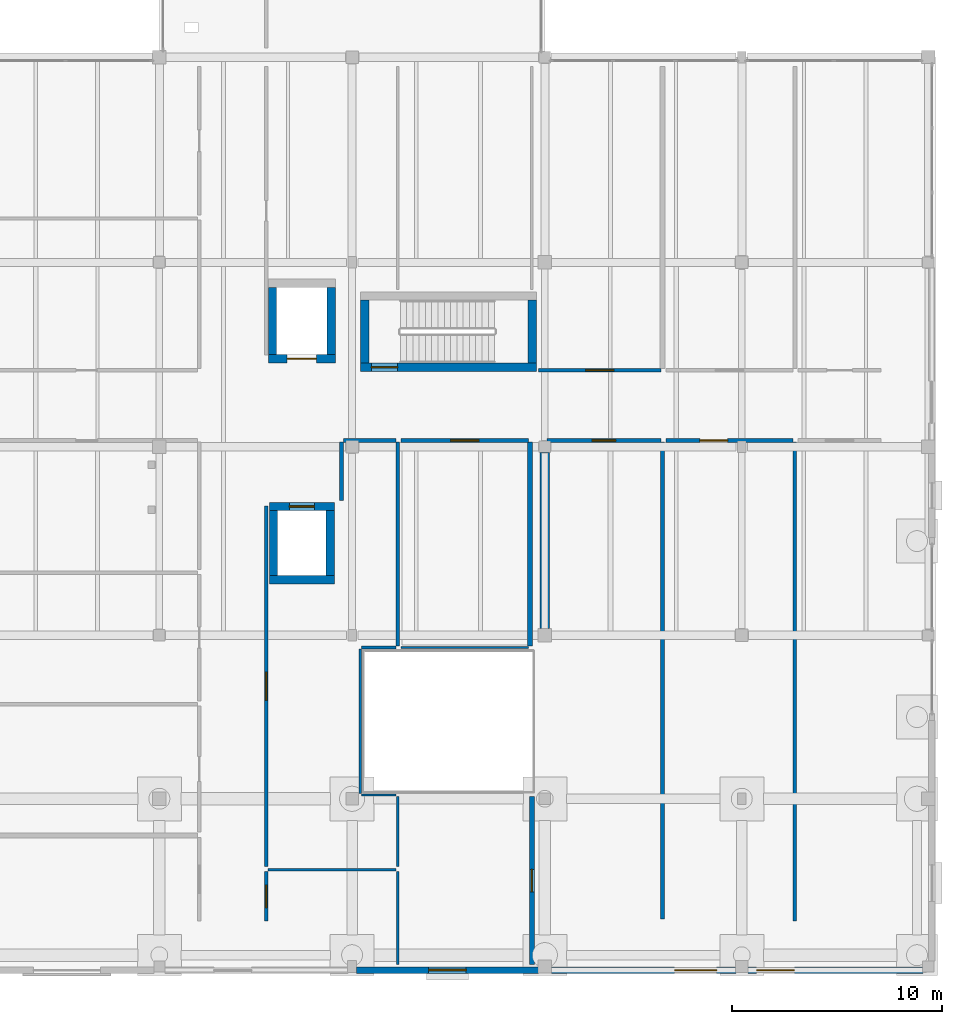
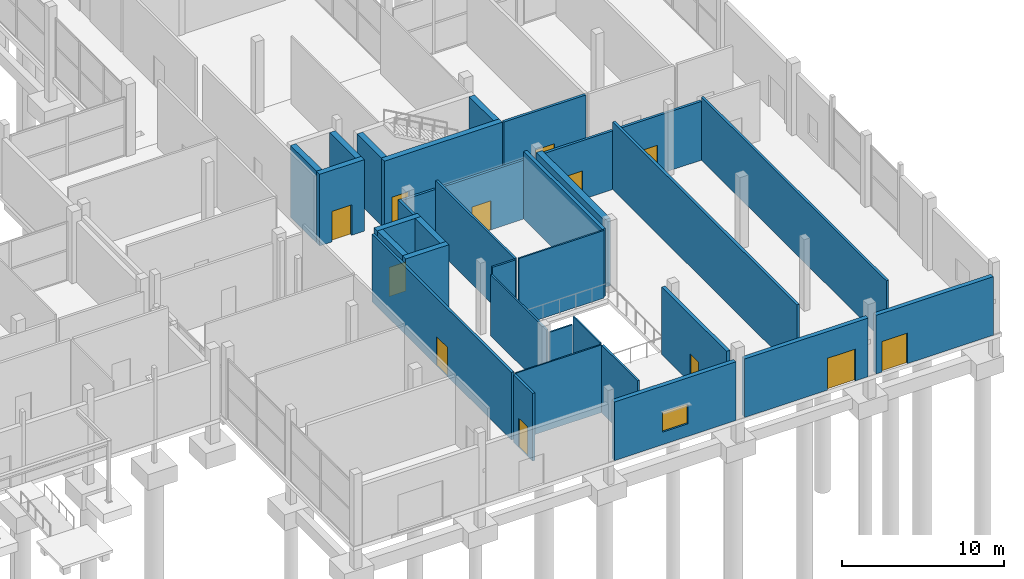
# One storey, part 67 of 88: 34 walls, 12 doors, 1 window, 13 openings.
"""IFC4 building model written with IfcOpenShell, lengths in metres."""

from ifc_helpers import new_model, si_unit, direction, frame, frame_2d, origin, place, context, subcontext, project, spatial, rectangle, extrude, material, layer, layer_set, type_object, element, fill, save


model = new_model("IFC4")

# Units and contexts
model_context = context("Model", 3, precision=1e-05, world=origin(), true_north=direction((0.0, 1.0)))
body_context = subcontext(model_context, "Body", "Model", "MODEL_VIEW")
ifc_project = project(units=[si_unit("LENGTHUNIT", "METRE"), si_unit("AREAUNIT", "SQUARE_METRE"), si_unit("VOLUMEUNIT", "CUBIC_METRE"), si_unit("PLANEANGLEUNIT", "RADIAN"), si_unit("MASSUNIT", "GRAM", prefix="KILO")], contexts=[model_context])

# Site, building, storey
site_placement = place(None, origin())
site = spatial("IfcSite", under=ifc_project, at=site_placement, CompositionType="ELEMENT")
building_placement = place(site_placement, origin())
building = spatial("IfcBuilding", under=site, at=building_placement, Name="Birchvale Park Specialist Clinic", CompositionType="ELEMENT")
storey_placement = place(building_placement, origin())
storey = spatial("IfcBuildingStorey", under=building, at=storey_placement, Name="L00", CompositionType="ELEMENT", Elevation=0.0)

# Wall, opening, door
ifc_material_1 = material(Name="Concrete C40/50", Category="concrete")
ifc_layer_1 = layer(ifc_material_1, 0.39990234375)
ifc_layer_set_1 = layer_set([ifc_layer_1], Name="Concrete C40/50")
wall_type_1 = type_object("IfcWallType", Name="WL-CW-120", PredefinedType="SHEAR", material=ifc_layer_set_1)
wall_1_placement = place(storey_placement, frame((137.60009765625, 29.60009765625, 0.0), z_axis=(0.0, 0.0, 1.0), x_axis=(1.0, 0.0, 0.0)))
wall_1 = element("IfcWall", 1, at=wall_1_placement, inside=storey, type_object=wall_type_1, Name="L00 stair ST6 EI 120 enclosure wall (south)", PredefinedType="SHEAR", context=body_context, shape_type="SweptSolid", body=[
    extrude(rectangle(XDim=8.39990234375, YDim=0.39990234375, at=frame_2d((4.199951171875, 0.0))), origin(), (0.0, 0.0, 1.0), 5.10009765625),
])
opening_1_placement = place(wall_1_placement, frame((0.52001953125, 0.0, 0.0)))
opening_1 = element("IfcOpeningElement", 2, at=opening_1_placement, cuts=wall_1, Name="Opening ID-FD60", PredefinedType="OPENING", context=body_context, shape_type="SweptSolid", body=[
    extrude(rectangle(XDim=1.25, YDim=2.199951171875, at=frame_2d((0.625, 1.10009765625))), frame((0.0, 0.2099609375, 0.0), z_axis=(0.0, -1.0, 0.0), x_axis=(1.0, 0.0, 0.0)), (0.0, 0.0, 1.0), 0.419921875),
])
ifc_material_2 = material(Name="Solid-core birch veneer and anodised aluminium", Category="aluminium")
door_type_1 = type_object("IfcDoorType", Name="DR-ID-FD60", OperationType="NOTDEFINED", PredefinedType="DOOR", material=ifc_material_2)
door_1_placement = place(opening_1_placement, origin())
door_1 = element("IfcDoor", 3, at=door_1_placement, inside=storey, type_object=door_type_1, Name="L00 stair ST6 fire door", OperationType="SINGLE_SWING_LEFT", OverallHeight=2.199951171875, OverallWidth=1.25, PredefinedType="DOOR", context=body_context, shape_type="SweptSolid", body=[
    extrude(rectangle(XDim=1.25, YDim=2.199951171875, at=frame_2d((0.625, 1.10009765625))), frame((0.0, 0.02490234375, 0.0), z_axis=(0.0, -1.0, 0.0), x_axis=(1.0, 0.0, 0.0)), (0.0, 0.0, 1.0), 0.050048828125),
])
fill(opening_1, door_1)

# Walls
for number, where, z_axis, x_axis, name in (
    (4, (137.800048828125, 29.800048828125, 0.0), (0.0, 0.0, 1.0), (0.0, 1.0, 0.0), "L00 stair ST6 EI 120 enclosure wall (west)"),
    (5, (145.800048828125, 32.800048828125, 0.0), (0.0, 0.0, 1.0), (0.0, -1.0, 0.0), "L00 stair ST6 EI 120 enclosure wall (east)"),
):
    element("IfcWall", number, at=place(storey_placement, frame(where, z_axis=z_axis, x_axis=x_axis)), inside=storey, type_object=wall_type_1, Name=name, PredefinedType="SHEAR", context=body_context, shape_type="SweptSolid", body=[
        extrude(rectangle(XDim=3.0, YDim=0.39990234375, at=frame_2d((1.5, 0.0))), origin(), (0.0, 0.0, 1.0), 5.10009765625),
    ])
wall_2_placement = place(storey_placement, frame((133.25, 19.449951171875, 0.0), z_axis=(0.0, 0.0, 1.0), x_axis=(1.0, 0.0, 0.0)))
element("IfcWall", 6, at=wall_2_placement, inside=storey, type_object=wall_type_1, Name="L00 lift LP4 shaft wall (south)", PredefinedType="SHEAR", context=body_context, shape_type="SweptSolid", body=[
    extrude(rectangle(XDim=3.10009765625, YDim=0.39990234375, at=frame_2d((1.550048828125, 0.0))), origin(), (0.0, 0.0, 1.0), 5.39990234375),
])

# Wall, opening, door
wall_3_placement = place(storey_placement, frame((136.35009765625, 22.949951171875, 0.0), z_axis=(0.0, 0.0, 1.0), x_axis=(-1.0, 0.0, 0.0)))
wall_3 = element("IfcWall", 7, at=wall_3_placement, inside=storey, type_object=wall_type_1, Name="L00 lift LP4 shaft wall (north)", PredefinedType="SHEAR", context=body_context, shape_type="SweptSolid", body=[
    extrude(rectangle(XDim=3.10009765625, YDim=0.39990234375, at=frame_2d((1.550048828125, 0.0))), origin(), (0.0, 0.0, 1.0), 5.39990234375),
])
opening_2_placement = place(wall_3_placement, frame((0.949951171875, 0.0, 0.0)))
opening_2 = element("IfcOpeningElement", 8, at=opening_2_placement, cuts=wall_3, Name="Opening LD-01", PredefinedType="OPENING", context=body_context, shape_type="SweptSolid", body=[
    extrude(rectangle(XDim=1.199951171875, YDim=2.199951171875, at=frame_2d((0.60009765625, 1.10009765625))), frame((0.0, 0.2099609375, 0.0), z_axis=(0.0, -1.0, 0.0), x_axis=(1.0, 0.0, 0.0)), (0.0, 0.0, 1.0), 0.419921875),
])
door_type_2 = type_object("IfcDoorType", Name="DR-LD-01", OperationType="DOUBLE_DOOR_SLIDING", PredefinedType="DOOR", material=ifc_material_2)
door_2_placement = place(opening_2_placement, origin())
door_2 = element("IfcDoor", 9, at=door_2_placement, inside=storey, type_object=door_type_2, Name="L00 lift LP4 sliding landing door", OperationType="DOUBLE_DOOR_SLIDING", OverallHeight=2.199951171875, OverallWidth=1.199951171875, PredefinedType="DOOR", context=body_context, shape_type="SweptSolid", body=[
    extrude(rectangle(XDim=1.199951171875, YDim=2.199951171875, at=frame_2d((0.60009765625, 1.10009765625))), frame((0.0, 0.02490234375, 0.0), z_axis=(0.0, -1.0, 0.0), x_axis=(1.0, 0.0, 0.0)), (0.0, 0.0, 1.0), 0.050048828125),
])
fill(opening_2, door_2)

# Walls
for number, where, z_axis, x_axis, name in (
    (10, (133.449951171875, 19.64990234375, 0.0), (0.0, 0.0, 1.0), (0.0, 1.0, 0.0), "L00 lift LP4 shaft wall (west)"),
    (11, (136.14990234375, 22.75, 0.0), (0.0, 0.0, 1.0), (0.0, -1.0, 0.0), "L00 lift LP4 shaft wall (east)"),
):
    element("IfcWall", number, at=place(storey_placement, frame(where, z_axis=z_axis, x_axis=x_axis)), inside=storey, type_object=wall_type_1, Name=name, PredefinedType="SHEAR", context=body_context, shape_type="SweptSolid", body=[
        extrude(rectangle(XDim=3.10009765625, YDim=0.39990234375, at=frame_2d((1.550048828125, 0.0))), origin(), (0.0, 0.0, 1.0), 5.39990234375),
    ])

# Wall, opening, door
wall_4_placement = place(storey_placement, frame((133.199951171875, 30.0, 0.0), z_axis=(0.0, 0.0, 1.0), x_axis=(1.0, 0.0, 0.0)))
wall_4 = element("IfcWall", 12, at=wall_4_placement, inside=storey, type_object=wall_type_1, Name="L00 lift LS2 shaft wall (south)", PredefinedType="SHEAR", context=body_context, shape_type="SweptSolid", body=[
    extrude(rectangle(XDim=3.199951171875, YDim=0.39990234375, at=frame_2d((1.60009765625, 0.0))), origin(), (0.0, 0.0, 1.0), 5.39990234375),
])
opening_3_placement = place(wall_4_placement, frame((0.89990234375, 0.0, 0.0)))
opening_3 = element("IfcOpeningElement", 13, at=opening_3_placement, cuts=wall_4, Name="Opening LD-03", PredefinedType="OPENING", context=body_context, shape_type="SweptSolid", body=[
    extrude(rectangle(XDim=1.39990234375, YDim=2.300048828125, at=frame_2d((0.699951171875, 1.14990234375))), frame((0.0, 0.2099609375, 0.0), z_axis=(0.0, -1.0, 0.0), x_axis=(1.0, 0.0, 0.0)), (0.0, 0.0, 1.0), 0.419921875),
])
door_type_3 = type_object("IfcDoorType", Name="DR-LD-03", OperationType="DOUBLE_DOOR_SLIDING", PredefinedType="DOOR", material=ifc_material_2)
door_3_placement = place(opening_3_placement, origin())
door_3 = element("IfcDoor", 14, at=door_3_placement, inside=storey, type_object=door_type_3, Name="L00 lift LS2 sliding landing door", OperationType="DOUBLE_DOOR_SLIDING", OverallHeight=2.300048828125, OverallWidth=1.39990234375, PredefinedType="DOOR", context=body_context, shape_type="SweptSolid", body=[
    extrude(rectangle(XDim=1.39990234375, YDim=2.300048828125, at=frame_2d((0.699951171875, 1.14990234375))), frame((0.0, 0.02490234375, 0.0), z_axis=(0.0, -1.0, 0.0), x_axis=(1.0, 0.0, 0.0)), (0.0, 0.0, 1.0), 0.050048828125),
])
fill(opening_3, door_3)

# Walls
for number, where, z_axis, x_axis, name in (
    (15, (133.39990234375, 30.199951171875, 0.0), (0.0, 0.0, 1.0), (0.0, 1.0, 0.0), "L00 lift LS2 shaft wall (west)"),
    (16, (136.199951171875, 33.39990234375, 0.0), (0.0, 0.0, 1.0), (0.0, -1.0, 0.0), "L00 lift LS2 shaft wall (east)"),
):
    element("IfcWall", number, at=place(storey_placement, frame(where, z_axis=z_axis, x_axis=x_axis)), inside=storey, type_object=wall_type_1, Name=name, PredefinedType="SHEAR", context=body_context, shape_type="SweptSolid", body=[
        extrude(rectangle(XDim=3.199951171875, YDim=0.39990234375, at=frame_2d((1.60009765625, 0.0))), origin(), (0.0, 0.0, 1.0), 5.39990234375),
    ])

# Wall, opening, window
ifc_material_3 = material(Name="Lime-white mineral-rendered insulated masonry", Category="masonry")
ifc_layer_2 = layer(ifc_material_3, 0.31005859375)
ifc_layer_set_2 = layer_set([ifc_layer_2], Name="Lime-white mineral-rendered insulated masonry")
wall_type_2 = type_object("IfcWallType", Name="WL-EW-02", PredefinedType="STANDARD", material=ifc_layer_set_2)
wall_5_placement = place(storey_placement, frame((137.405029296875, 0.824951171875, 0.0), z_axis=(0.0, 0.0, 1.0), x_axis=(1.0, 0.0, 0.0)))
wall_5 = element("IfcWall", 17, at=wall_5_placement, inside=storey, type_object=wall_type_2, Name="V5 L00 exterior facade wall 91", PredefinedType="STANDARD", context=body_context, shape_type="SweptSolid", body=[
    extrude(rectangle(XDim=8.68505859375, YDim=0.31005859375, at=frame_2d((4.342529296875, 0.0))), origin(), (0.0, 0.0, 1.0), 4.419921875),
])
opening_4_placement = place(wall_5_placement, frame((3.4423828125, 0.0, 0.949951171875)))
opening_4 = element("IfcOpeningElement", 18, at=opening_4_placement, cuts=wall_5, Name="Opening W-CL05", PredefinedType="OPENING", context=body_context, shape_type="SweptSolid", body=[
    extrude(rectangle(XDim=1.800048828125, YDim=1.5, at=frame_2d((0.89990234375, 0.75))), frame((0.0, 0.1650390625, 0.0), z_axis=(0.0, -1.0, 0.0), x_axis=(1.0, 0.0, 0.0)), (0.0, 0.0, 1.0), 0.330078125),
])
ifc_material_4 = material(Name="Solar-control low-E double glazing", Category="glass")
window_type = type_object("IfcWindowType", Name="WIN-W-CL05", PartitioningType="SINGLE_PANEL", PredefinedType="WINDOW", material=ifc_material_4)
window_placement = place(opening_4_placement, origin())
window = element("IfcWindow", 19, at=window_placement, inside=storey, type_object=window_type, Name="V5 L00 cased window 12", OverallHeight=1.5, OverallWidth=1.800048828125, PartitioningType="SINGLE_PANEL", PredefinedType="WINDOW", context=body_context, shape_type="SweptSolid", body=[
    extrude(rectangle(XDim=1.800048828125, YDim=1.5, at=frame_2d((0.89990234375, 0.75))), frame((0.0, 0.030029296875, 0.0), z_axis=(0.0, -1.0, 0.0), x_axis=(1.0, 0.0, 0.0)), (0.0, 0.0, 1.0), 0.06005859375),
])
fill(opening_4, window)

# Wall, opening, door
wall_6_placement = place(storey_placement, frame((146.7099609375, 0.824951171875, 0.0), z_axis=(0.0, 0.0, 1.0), x_axis=(1.0, 0.0, 0.0)))
wall_6 = element("IfcWall", 20, at=wall_6_placement, inside=storey, type_object=wall_type_2, Name="V5 L00 exterior facade wall 92", PredefinedType="STANDARD", context=body_context, shape_type="SweptSolid", body=[
    extrude(rectangle(XDim=8.804931640625, YDim=0.31005859375, at=frame_2d((4.40234375, 0.0))), origin(), (0.0, 0.0, 1.0), 4.419921875),
])
opening_5_placement = place(wall_6_placement, frame((5.8896484375, 0.0, 0.0)))
opening_5 = element("IfcOpeningElement", 21, at=opening_5_placement, cuts=wall_6, Name="Opening ED-02", PredefinedType="OPENING", context=body_context, shape_type="SweptSolid", body=[
    extrude(rectangle(XDim=2.0, YDim=2.39990234375, at=frame_2d((1.0, 1.199951171875))), frame((0.0, 0.1650390625, 0.0), z_axis=(0.0, -1.0, 0.0), x_axis=(1.0, 0.0, 0.0)), (0.0, 0.0, 1.0), 0.330078125),
])
ifc_material_5 = material(Name="Powder-coated aluminium and laminated safety glass", Category="aluminium")
door_type_4 = type_object("IfcDoorType", Name="DR-ED-02", OperationType="DOUBLE_DOOR_SINGLE_SWING", PredefinedType="DOOR", material=ifc_material_5)
door_4_placement = place(opening_5_placement, frame((2.0, 0.0, 0.0), z_axis=(0.0, 0.0, 1.0), x_axis=(-1.0, 0.0, 0.0)))
door_4 = element("IfcDoor", 22, at=door_4_placement, inside=storey, type_object=door_type_4, Name="L00 V5 final exit double door 27", OperationType="DOUBLE_DOOR_SINGLE_SWING", OverallHeight=2.39990234375, OverallWidth=2.0, PredefinedType="DOOR", context=body_context, shape_type="SweptSolid", body=[
    extrude(rectangle(XDim=2.0, YDim=2.39990234375, at=frame_2d((1.0, 1.199951171875))), frame((0.0, 0.02490234375, 0.0), z_axis=(0.0, -1.0, 0.0), x_axis=(1.0, 0.0, 0.0)), (0.0, 0.0, 1.0), 0.050048828125),
])
fill(opening_5, door_4)

wall_7_placement = place(storey_placement, frame((156.0849609375, 0.824951171875, 0.0), z_axis=(0.0, 0.0, 1.0), x_axis=(1.0, 0.0, 0.0)))
wall_7 = element("IfcWall", 23, at=wall_7_placement, inside=storey, type_object=wall_type_2, Name="V5 L00 exterior facade wall 93", PredefinedType="STANDARD", context=body_context, shape_type="SweptSolid", body=[
    extrude(rectangle(XDim=8.35498046875, YDim=0.31005859375, at=frame_2d((4.177490234375, 0.0))), origin(), (0.0, 0.0, 1.0), 4.419921875),
])
opening_6_placement = place(wall_7_placement, frame((0.42822265625, 0.0, 0.0)))
opening_6 = element("IfcOpeningElement", 24, at=opening_6_placement, cuts=wall_7, Name="Opening ED-03", PredefinedType="OPENING", context=body_context, shape_type="SweptSolid", body=[
    extrude(rectangle(XDim=1.800048828125, YDim=2.300048828125, at=frame_2d((0.89990234375, 1.14990234375))), frame((0.0, 0.1650390625, 0.0), z_axis=(0.0, -1.0, 0.0), x_axis=(1.0, 0.0, 0.0)), (0.0, 0.0, 1.0), 0.330078125),
])
door_type_5 = type_object("IfcDoorType", Name="DR-ED-03", OperationType="DOUBLE_DOOR_SINGLE_SWING", PredefinedType="DOOR", material=ifc_material_5)
door_5_placement = place(opening_6_placement, frame((1.800048828125, 0.0, 0.0), z_axis=(0.0, 0.0, 1.0), x_axis=(-1.0, 0.0, 0.0)))
door_5 = element("IfcDoor", 25, at=door_5_placement, inside=storey, type_object=door_type_5, Name="L00 V5 final exit double door 28", OperationType="DOUBLE_DOOR_SINGLE_SWING", OverallHeight=2.300048828125, OverallWidth=1.800048828125, PredefinedType="DOOR", context=body_context, shape_type="SweptSolid", body=[
    extrude(rectangle(XDim=1.800048828125, YDim=2.300048828125, at=frame_2d((0.89990234375, 1.14990234375))), frame((0.0, 0.02490234375, 0.0), z_axis=(0.0, -1.0, 0.0), x_axis=(1.0, 0.0, 0.0)), (0.0, 0.0, 1.0), 0.050048828125),
])
fill(opening_6, door_5)

# Walls
ifc_material_6 = material(Name="Acoustic gypsum board on metal framing")
ifc_layer_3 = layer(ifc_material_6, 0.1650390625)
ifc_layer_set_3 = layer_set([ifc_layer_3], Name="Acoustic gypsum board on metal framing")
wall_type_3 = type_object("IfcWallType", Name="WL-IW-01", PredefinedType="PARTITIONING", material=ifc_layer_set_3)
wall_8_placement = place(storey_placement, frame((158.33203125, 26.02001953125, 0.0), z_axis=(0.0, 0.0, 1.0), x_axis=(0.0, -1.0, 0.0)))
element("IfcWall", 26, at=wall_8_placement, inside=storey, type_object=wall_type_3, Name="V5 L00 clinical partition 233", PredefinedType="PARTITIONING", context=body_context, shape_type="SweptSolid", body=[
    extrude(rectangle(XDim=22.864990234375, YDim=0.1650390625, at=frame_2d((11.4326171875, 0.0))), origin(), (0.0, 0.0, 1.0), 4.759033203125),
])
ifc_layer_4 = layer(ifc_material_6, 0.14990234375)
ifc_layer_set_4 = layer_set([ifc_layer_4], Name="Acoustic gypsum board on metal framing")
wall_type_4 = type_object("IfcWallType", Name="WL-IW-02", PredefinedType="PARTITIONING", material=ifc_layer_set_4)
wall_9_placement = place(storey_placement, frame((139.3779296875, 26.02001953125, 0.0), z_axis=(0.0, 0.0, 1.0), x_axis=(0.0, -1.0, 0.0)))
element("IfcWall", 27, at=wall_9_placement, inside=storey, type_object=wall_type_4, Name="V5 L00 clinical partition 220", PredefinedType="PARTITIONING", context=body_context, shape_type="SweptSolid", body=[
    extrude(rectangle(XDim=9.719970703125, YDim=0.14990234375, at=frame_2d((4.85986328125, 0.0))), origin(), (0.0, 0.0, 1.0), 5.10009765625),
])
ifc_layer_5 = layer(ifc_material_6, 0.139892578125)
ifc_layer_set_5 = layer_set([ifc_layer_5], Name="Acoustic gypsum board on metal framing")
wall_type_5 = type_object("IfcWallType", Name="WL-IW-03", PredefinedType="PARTITIONING", material=ifc_layer_set_5)
wall_10_placement = place(storey_placement, frame((139.3779296875, 5.530029296875, 0.0), z_axis=(0.0, 0.0, 1.0), x_axis=(0.0, -1.0, 0.0)))
element("IfcWall", 28, at=wall_10_placement, inside=storey, type_object=wall_type_5, Name="V5 L00 clinical partition 215", PredefinedType="PARTITIONING", context=body_context, shape_type="SweptSolid", body=[
    extrude(rectangle(XDim=4.43994140625, YDim=0.139892578125, at=frame_2d((2.219970703125, 0.0))), origin(), (0.0, 0.0, 1.0), 5.10009765625),
])
wall_11_placement = place(storey_placement, frame((139.298095703125, 16.219970703125, 0.0), z_axis=(0.0, 0.0, 1.0), x_axis=(-1.0, 0.0, 0.0)))
element("IfcWall", 29, at=wall_11_placement, inside=storey, type_object=wall_type_5, Name="V5 L00 clinical partition 221", PredefinedType="PARTITIONING", context=body_context, shape_type="SweptSolid", body=[
    extrude(rectangle(XDim=1.63818359375, YDim=0.139892578125, at=frame_2d((0.819091796875, 0.0))), origin(), (0.0, 0.0, 1.0), 5.10009765625),
])
ifc_layer_6 = layer(ifc_material_6, 0.125)
ifc_layer_set_6 = layer_set([ifc_layer_6], Name="Acoustic gypsum board on metal framing")
wall_type_6 = type_object("IfcWallType", Name="WL-IW-04", PredefinedType="PARTITIONING", material=ifc_layer_set_6)
wall_12_placement = place(storey_placement, frame((137.580078125, 16.139892578125, 0.0), z_axis=(0.0, 0.0, 1.0), x_axis=(0.0, -1.0, 0.0)))
element("IfcWall", 30, at=wall_12_placement, inside=storey, type_object=wall_type_6, Name="V5 L00 clinical partition 222", PredefinedType="PARTITIONING", context=body_context, shape_type="SweptSolid", body=[
    extrude(rectangle(XDim=6.8798828125, YDim=0.125, at=frame_2d((3.43994140625, 0.0))), origin(), (0.0, 0.0, 1.0), 4.610107421875),
])
ifc_layer_7 = layer(ifc_material_6, 0.114990234375)
ifc_layer_set_7 = layer_set([ifc_layer_7], Name="Acoustic gypsum board on metal framing")
wall_type_7 = type_object("IfcWallType", Name="WL-IW-05", PredefinedType="PARTITIONING", material=ifc_layer_set_7)
wall_13_placement = place(storey_placement, frame((137.659912109375, 9.179931640625, 0.0), z_axis=(0.0, 0.0, 1.0), x_axis=(1.0, 0.0, 0.0)))
element("IfcWall", 31, at=wall_13_placement, inside=storey, type_object=wall_type_7, Name="V5 L00 clinical partition 223", PredefinedType="PARTITIONING", context=body_context, shape_type="SweptSolid", body=[
    extrude(rectangle(XDim=1.63818359375, YDim=0.114990234375, at=frame_2d((0.819091796875, 0.0))), origin(), (0.0, 0.0, 1.0), 4.4599609375),
])
wall_14_placement = place(storey_placement, frame((145.615966796875, 16.219970703125, 0.0), z_axis=(0.0, 0.0, 1.0), x_axis=(-1.0, 0.0, 0.0)))
element("IfcWall", 32, at=wall_14_placement, inside=storey, type_object=wall_type_7, Name="V5 L00 clinical partition 226", PredefinedType="PARTITIONING", context=body_context, shape_type="SweptSolid", body=[
    extrude(rectangle(XDim=6.077880859375, YDim=0.114990234375, at=frame_2d((3.0390625, 0.0))), origin(), (0.0, 0.0, 1.0), 5.10009765625),
])
ifc_layer_8 = layer(ifc_material_6, 0.10009765625)
ifc_layer_set_8 = layer_set([ifc_layer_8], Name="Acoustic gypsum board on metal framing")
wall_type_8 = type_object("IfcWallType", Name="WL-IW-06", PredefinedType="PARTITIONING", material=ifc_layer_set_8)
wall_15_placement = place(storey_placement, frame((133.179931640625, 5.610107421875, 0.0), z_axis=(0.0, 0.0, 1.0), x_axis=(1.0, 0.0, 0.0)))
element("IfcWall", 33, at=wall_15_placement, inside=storey, type_object=wall_type_8, Name="V5 L00 clinical partition 217", PredefinedType="PARTITIONING", context=body_context, shape_type="SweptSolid", body=[
    extrude(rectangle(XDim=6.1181640625, YDim=0.10009765625, at=frame_2d((3.05908203125, 0.0))), origin(), (0.0, 0.0, 1.0), 5.10009765625),
])
wall_16_placement = place(storey_placement, frame((139.3779296875, 9.10009765625, 0.0), z_axis=(0.0, 0.0, 1.0), x_axis=(0.0, -1.0, 0.0)))
element("IfcWall", 34, at=wall_16_placement, inside=storey, type_object=wall_type_8, Name="V5 L00 clinical partition 224", PredefinedType="PARTITIONING", context=body_context, shape_type="SweptSolid", body=[
    extrude(rectangle(XDim=3.330078125, YDim=0.10009765625, at=frame_2d((1.6650390625, 0.0))), origin(), (0.0, 0.0, 1.0), 5.10009765625),
])
ifc_layer_9 = layer(ifc_material_6, 0.195068359375)
ifc_layer_set_9 = layer_set([ifc_layer_9], Name="Acoustic gypsum board on metal framing")
wall_type_9 = type_object("IfcWallType", Name="WL-IW-07", PredefinedType="PARTITIONING", material=ifc_layer_set_9)
wall_17_placement = place(storey_placement, frame((152.013916015625, 26.02001953125, 0.0), z_axis=(0.0, 0.0, 1.0), x_axis=(0.0, -1.0, 0.0)))
element("IfcWall", 35, at=wall_17_placement, inside=storey, type_object=wall_type_9, Name="V5 L00 clinical partition 230", PredefinedType="PARTITIONING", context=body_context, shape_type="SweptSolid", body=[
    extrude(rectangle(XDim=22.76513671875, YDim=0.195068359375, at=frame_2d((11.382568359375, 0.0))), origin(), (0.0, 0.0, 1.0), 5.10009765625),
])
ifc_layer_10 = layer(ifc_material_6, 0.239990234375)
ifc_layer_set_10 = layer_set([ifc_layer_10], Name="Acoustic gypsum board on metal framing")
wall_type_10 = type_object("IfcWallType", Name="WL-IW-08", PredefinedType="PARTITIONING", material=ifc_layer_set_10)
wall_18_placement = place(storey_placement, frame((145.696044921875, 26.02001953125, 0.0), z_axis=(0.0, 0.0, 1.0), x_axis=(0.0, -1.0, 0.0)))
element("IfcWall", 36, at=wall_18_placement, inside=storey, type_object=wall_type_10, Name="V5 L00 clinical partition 228", PredefinedType="PARTITIONING", context=body_context, shape_type="SweptSolid", body=[
    extrude(rectangle(XDim=9.719970703125, YDim=0.239990234375, at=frame_2d((4.85986328125, 0.0))), origin(), (0.0, 0.0, 1.0), 5.10009765625),
])

# Wall, opening, door
wall_19_placement = place(storey_placement, frame((145.77587890625, 1.090087890625, 0.0), z_axis=(0.0, 0.0, 1.0), x_axis=(0.0, 1.0, 0.0)))
wall_19 = element("IfcWall", 37, at=wall_19_placement, inside=storey, type_object=wall_type_10, Name="V5 L00 clinical partition 229", PredefinedType="PARTITIONING", context=body_context, shape_type="SweptSolid", body=[
    extrude(rectangle(XDim=8.010009765625, YDim=0.239990234375, at=frame_2d((4.0048828125, 0.0))), origin(), (0.0, 0.0, 1.0), 5.10009765625),
])
opening_7_placement = place(wall_19_placement, frame((3.465087890625, 0.0, 0.0)))
opening_7 = element("IfcOpeningElement", 38, at=opening_7_placement, cuts=wall_19, Name="Opening ID-03", PredefinedType="OPENING", context=body_context, shape_type="SweptSolid", body=[
    extrude(rectangle(XDim=1.080078125, YDim=2.199951171875, at=frame_2d((0.5400390625, 1.10009765625))), frame((0.0, 0.1298828125, 0.0), z_axis=(0.0, -1.0, 0.0), x_axis=(1.0, 0.0, 0.0)), (0.0, 0.0, 1.0), 0.260009765625),
])
door_type_6 = type_object("IfcDoorType", Name="DR-ID-03", OperationType="NOTDEFINED", PredefinedType="DOOR", material=ifc_material_2)
door_6_placement = place(opening_7_placement, origin())
door_6 = element("IfcDoor", 39, at=door_6_placement, inside=storey, type_object=door_type_6, Name="V5 L00 clinical suite door 209", OperationType="SINGLE_SWING_LEFT", OverallHeight=2.199951171875, OverallWidth=1.080078125, PredefinedType="DOOR", context=body_context, shape_type="SweptSolid", body=[
    extrude(rectangle(XDim=1.080078125, YDim=2.199951171875, at=frame_2d((0.5400390625, 1.10009765625))), frame((0.0, 0.02490234375, 0.0), z_axis=(0.0, -1.0, 0.0), x_axis=(1.0, 0.0, 0.0)), (0.0, 0.0, 1.0), 0.050048828125),
])
fill(opening_7, door_6)

ifc_layer_11 = layer(ifc_material_6, 0.179931640625)
ifc_layer_set_11 = layer_set([ifc_layer_11], Name="Acoustic gypsum board on metal framing")
wall_type_11 = type_object("IfcWallType", Name="WL-IW-60", PredefinedType="PARTITIONING", material=ifc_layer_set_11)
wall_20_placement = place(storey_placement, frame((133.10009765625, 3.155029296875, 0.0), z_axis=(0.0, 0.0, 1.0), x_axis=(0.0, 1.0, 0.0)))
wall_20 = element("IfcWall", 40, at=wall_20_placement, inside=storey, type_object=wall_type_11, Name="V5 L00 clinical partition 216", PredefinedType="PARTITIONING", context=body_context, shape_type="SweptSolid", body=[
    extrude(rectangle(XDim=2.375, YDim=0.179931640625, at=frame_2d((1.1875, 0.0))), origin(), (0.0, 0.0, 1.0), 5.10009765625),
])
opening_8_placement = place(wall_20_placement, frame((0.6474609375, 0.0, 0.0)))
opening_8 = element("IfcOpeningElement", 41, at=opening_8_placement, cuts=wall_20, Name="Opening ID-03", PredefinedType="OPENING", context=body_context, shape_type="SweptSolid", body=[
    extrude(rectangle(XDim=1.080078125, YDim=2.199951171875, at=frame_2d((0.5400390625, 1.10009765625))), frame((0.0, 0.10009765625, 0.0), z_axis=(0.0, -1.0, 0.0), x_axis=(1.0, 0.0, 0.0)), (0.0, 0.0, 1.0), 0.199951171875),
])
door_7_placement = place(opening_8_placement, origin())
door_7 = element("IfcDoor", 42, at=door_7_placement, inside=storey, type_object=door_type_6, Name="L00 Accessible Patient WC door", OperationType="SINGLE_SWING_RIGHT", OverallHeight=2.199951171875, OverallWidth=1.080078125, PredefinedType="DOOR", context=body_context, shape_type="SweptSolid", body=[
    extrude(rectangle(XDim=1.080078125, YDim=2.199951171875, at=frame_2d((0.5400390625, 1.10009765625))), frame((0.0, 0.02490234375, 0.0), z_axis=(0.0, -1.0, 0.0), x_axis=(1.0, 0.0, 0.0)), (0.0, 0.0, 1.0), 0.050048828125),
])
fill(opening_8, door_7)

# Walls
wall_21_placement = place(storey_placement, frame((136.699951171875, 23.22998046875, 0.0), z_axis=(0.0, 0.0, 1.0), x_axis=(0.0, 1.0, 0.0)))
element("IfcWall", 43, at=wall_21_placement, inside=storey, type_object=wall_type_11, Name="V5 L00 clinical partition 218", PredefinedType="PARTITIONING", context=body_context, shape_type="SweptSolid", body=[
    extrude(rectangle(XDim=2.7900390625, YDim=0.179931640625, at=frame_2d((1.39501953125, 0.0))), origin(), (0.0, 0.0, 1.0), 4.5849609375),
])
wall_22_placement = place(storey_placement, frame((136.780029296875, 26.10009765625, 0.0), z_axis=(0.0, 0.0, 1.0), x_axis=(1.0, 0.0, 0.0)))
element("IfcWall", 44, at=wall_22_placement, inside=storey, type_object=wall_type_11, Name="V5 L00 clinical partition 219", PredefinedType="PARTITIONING", context=body_context, shape_type="SweptSolid", body=[
    extrude(rectangle(XDim=2.51806640625, YDim=0.179931640625, at=frame_2d((1.259033203125, 0.0))), origin(), (0.0, 0.0, 1.0), 4.43505859375),
])

# Wall, opening, door
wall_23_placement = place(storey_placement, frame((133.10009765625, 5.77001953125, 0.0), z_axis=(0.0, 0.0, 1.0), x_axis=(0.0, 1.0, 0.0)))
wall_23 = element("IfcWall", 45, at=wall_23_placement, inside=storey, type_object=wall_type_11, Name="V5 L00 clinical partition 225", PredefinedType="PARTITIONING", context=body_context, shape_type="SweptSolid", body=[
    extrude(rectangle(XDim=17.199951171875, YDim=0.179931640625, at=frame_2d((8.60009765625, 0.0))), origin(), (0.0, 0.0, 1.0), 5.10009765625),
])
opening_9_placement = place(wall_23_placement, frame((7.925048828125, 0.0, 0.0)))
opening_9 = element("IfcOpeningElement", 46, at=opening_9_placement, cuts=wall_23, Name="Opening ID-FD30", PredefinedType="OPENING", context=body_context, shape_type="SweptSolid", body=[
    extrude(rectangle(XDim=1.35009765625, YDim=2.199951171875, at=frame_2d((0.675048828125, 1.10009765625))), frame((0.0, 0.10009765625, 0.0), z_axis=(0.0, -1.0, 0.0), x_axis=(1.0, 0.0, 0.0)), (0.0, 0.0, 1.0), 0.199951171875),
])
door_type_7 = type_object("IfcDoorType", Name="DR-ID-FD30", OperationType="NOTDEFINED", PredefinedType="DOOR", material=ifc_material_2)
door_8_placement = place(opening_9_placement, origin())
door_8 = element("IfcDoor", 47, at=door_8_placement, inside=storey, type_object=door_type_7, Name="L00 Outpatient Pharmacy Dispensary door", OperationType="SINGLE_SWING_LEFT", OverallHeight=2.199951171875, OverallWidth=1.35009765625, PredefinedType="DOOR", context=body_context, shape_type="SweptSolid", body=[
    extrude(rectangle(XDim=1.35009765625, YDim=2.199951171875, at=frame_2d((0.675048828125, 1.10009765625))), frame((0.0, 0.02490234375, 0.0), z_axis=(0.0, -1.0, 0.0), x_axis=(1.0, 0.0, 0.0)), (0.0, 0.0, 1.0), 0.050048828125),
])
fill(opening_9, door_8)

wall_24_placement = place(storey_placement, frame((139.5380859375, 26.10009765625, 0.0), z_axis=(0.0, 0.0, 1.0), x_axis=(1.0, 0.0, 0.0)))
wall_24 = element("IfcWall", 48, at=wall_24_placement, inside=storey, type_object=wall_type_11, Name="V5 L00 clinical partition 227", PredefinedType="PARTITIONING", context=body_context, shape_type="SweptSolid", body=[
    extrude(rectangle(XDim=6.077880859375, YDim=0.179931640625, at=frame_2d((3.0390625, 0.0))), origin(), (0.0, 0.0, 1.0), 4.43505859375),
])
opening_10_placement = place(wall_24_placement, frame((2.364013671875, 0.0, 0.0)))
opening_10 = element("IfcOpeningElement", 49, at=opening_10_placement, cuts=wall_24, Name="Opening ID-FD30", PredefinedType="OPENING", context=body_context, shape_type="SweptSolid", body=[
    extrude(rectangle(XDim=1.35009765625, YDim=2.199951171875, at=frame_2d((0.675048828125, 1.10009765625))), frame((0.0, 0.10009765625, 0.0), z_axis=(0.0, -1.0, 0.0), x_axis=(1.0, 0.0, 0.0)), (0.0, 0.0, 1.0), 0.199951171875),
])
door_9_placement = place(opening_10_placement, origin())
door_9 = element("IfcDoor", 50, at=door_9_placement, inside=storey, type_object=door_type_7, Name="L00 Outpatient Pharmacy Dispensary door", OperationType="SINGLE_SWING_RIGHT", OverallHeight=2.199951171875, OverallWidth=1.35009765625, PredefinedType="DOOR", context=body_context, shape_type="SweptSolid", body=[
    extrude(rectangle(XDim=1.35009765625, YDim=2.199951171875, at=frame_2d((0.675048828125, 1.10009765625))), frame((0.0, 0.02490234375, 0.0), z_axis=(0.0, -1.0, 0.0), x_axis=(1.0, 0.0, 0.0)), (0.0, 0.0, 1.0), 0.050048828125),
])
fill(opening_10, door_9)

wall_25_placement = place(storey_placement, frame((146.5, 26.10009765625, 0.0), z_axis=(0.0, 0.0, 1.0), x_axis=(1.0, 0.0, 0.0)))
wall_25 = element("IfcWall", 51, at=wall_25_placement, inside=storey, type_object=wall_type_11, Name="V5 L00 clinical partition 231", PredefinedType="PARTITIONING", context=body_context, shape_type="SweptSolid", body=[
    extrude(rectangle(XDim=5.43408203125, YDim=0.179931640625, at=frame_2d((2.717041015625, 0.0))), origin(), (0.0, 0.0, 1.0), 4.43505859375),
])
opening_11_placement = place(wall_25_placement, frame((2.156982421875, 0.0, 0.0)))
opening_11 = element("IfcOpeningElement", 52, at=opening_11_placement, cuts=wall_25, Name="Opening ID-11", PredefinedType="OPENING", context=body_context, shape_type="SweptSolid", body=[
    extrude(rectangle(XDim=1.1201171875, YDim=2.159912109375, at=frame_2d((0.56005859375, 1.080078125))), frame((0.0, 0.10009765625, 0.0), z_axis=(0.0, -1.0, 0.0), x_axis=(1.0, 0.0, 0.0)), (0.0, 0.0, 1.0), 0.199951171875),
])
door_type_8 = type_object("IfcDoorType", Name="DR-ID-11", OperationType="NOTDEFINED", PredefinedType="DOOR", material=ifc_material_2)
door_10_placement = place(opening_11_placement, origin())
door_10 = element("IfcDoor", 53, at=door_10_placement, inside=storey, type_object=door_type_8, Name="L00 Ambulatory Procedure Triage door", OperationType="SINGLE_SWING_RIGHT", OverallHeight=2.159912109375, OverallWidth=1.1201171875, PredefinedType="DOOR", context=body_context, shape_type="SweptSolid", body=[
    extrude(rectangle(XDim=1.1201171875, YDim=2.159912109375, at=frame_2d((0.56005859375, 1.080078125))), frame((0.0, 0.02490234375, 0.0), z_axis=(0.0, -1.0, 0.0), x_axis=(1.0, 0.0, 0.0)), (0.0, 0.0, 1.0), 0.050048828125),
])
fill(opening_11, door_10)

wall_26_placement = place(storey_placement, frame((152.174072265625, 26.10009765625, 0.0), z_axis=(0.0, 0.0, 1.0), x_axis=(1.0, 0.0, 0.0)))
wall_26 = element("IfcWall", 54, at=wall_26_placement, inside=storey, type_object=wall_type_11, Name="V5 L00 clinical partition 232", PredefinedType="PARTITIONING", context=body_context, shape_type="SweptSolid", body=[
    extrude(rectangle(XDim=6.077880859375, YDim=0.179931640625, at=frame_2d((3.0390625, 0.0))), origin(), (0.0, 0.0, 1.0), 4.43505859375),
])
opening_12_placement = place(wall_26_placement, frame((1.62890625, 0.0, 0.0)))
opening_12 = element("IfcOpeningElement", 55, at=opening_12_placement, cuts=wall_26, Name="Opening ID-12", PredefinedType="OPENING", context=body_context, shape_type="SweptSolid", body=[
    extrude(rectangle(XDim=1.320068359375, YDim=2.219970703125, at=frame_2d((0.66015625, 1.10986328125))), frame((0.0, 0.10009765625, 0.0), z_axis=(0.0, -1.0, 0.0), x_axis=(1.0, 0.0, 0.0)), (0.0, 0.0, 1.0), 0.199951171875),
])
door_type_9 = type_object("IfcDoorType", Name="DR-ID-12", OperationType="NOTDEFINED", PredefinedType="DOOR", material=ifc_material_2)
door_11_placement = place(opening_12_placement, origin())
door_11 = element("IfcDoor", 56, at=door_11_placement, inside=storey, type_object=door_type_9, Name="L00 Clean Supply Reception Room door", OperationType="SINGLE_SWING_LEFT", OverallHeight=2.219970703125, OverallWidth=1.320068359375, PredefinedType="DOOR", context=body_context, shape_type="SweptSolid", body=[
    extrude(rectangle(XDim=1.320068359375, YDim=2.219970703125, at=frame_2d((0.66015625, 1.10986328125))), frame((0.0, 0.02490234375, 0.0), z_axis=(0.0, -1.0, 0.0), x_axis=(1.0, 0.0, 0.0)), (0.0, 0.0, 1.0), 0.050048828125),
])
fill(opening_12, door_11)

wall_27_placement = place(storey_placement, frame((151.93408203125, 29.449951171875, 0.0), z_axis=(0.0, 0.0, 1.0), x_axis=(-1.0, 0.0, 0.0)))
wall_27 = element("IfcWall", 57, at=wall_27_placement, inside=storey, type_object=wall_type_11, Name="V5 L00 clinical partition 243", PredefinedType="PARTITIONING", context=body_context, shape_type="SweptSolid", body=[
    extrude(rectangle(XDim=5.833984375, YDim=0.179931640625, at=frame_2d((2.9169921875, 0.0))), origin(), (0.0, 0.0, 1.0), 5.10009765625),
])
opening_13_placement = place(wall_27_placement, frame((2.241943359375, 0.0, 0.0)))
opening_13 = element("IfcOpeningElement", 58, at=opening_13_placement, cuts=wall_27, Name="Opening ID-FD30", PredefinedType="OPENING", context=body_context, shape_type="SweptSolid", body=[
    extrude(rectangle(XDim=1.35009765625, YDim=2.199951171875, at=frame_2d((0.675048828125, 1.10009765625))), frame((0.0, 0.10009765625, 0.0), z_axis=(0.0, -1.0, 0.0), x_axis=(1.0, 0.0, 0.0)), (0.0, 0.0, 1.0), 0.199951171875),
])
door_12_placement = place(opening_13_placement, origin())
door_12 = element("IfcDoor", 59, at=door_12_placement, inside=storey, type_object=door_type_7, Name="L00 Outpatient Pharmacy Dispensary door", OperationType="SINGLE_SWING_RIGHT", OverallHeight=2.199951171875, OverallWidth=1.35009765625, PredefinedType="DOOR", context=body_context, shape_type="SweptSolid", body=[
    extrude(rectangle(XDim=1.35009765625, YDim=2.199951171875, at=frame_2d((0.675048828125, 1.10009765625))), frame((0.0, 0.02490234375, 0.0), z_axis=(0.0, -1.0, 0.0), x_axis=(1.0, 0.0, 0.0)), (0.0, 0.0, 1.0), 0.050048828125),
])
fill(opening_13, door_12)

# Wall
ifc_layer_12 = layer(ifc_material_1, 0.449951171875)
ifc_layer_set_12 = layer_set([ifc_layer_12], Name="Concrete C40/50")
wall_type_12 = type_object("IfcWallType", Name="WL-SW-450", PredefinedType="SHEAR", material=ifc_layer_set_12)
wall_28_placement = place(storey_placement, frame((146.39990234375, 17.125, 0.0), z_axis=(0.0, 0.0, 1.0), x_axis=(0.0, 1.0, 0.0)))
element("IfcWall", 60, at=wall_28_placement, inside=storey, type_object=wall_type_12, Name="V5 L00 coupled seismic shear wall 12", PredefinedType="SHEAR", context=body_context, shape_type="SweptSolid", body=[
    extrude(rectangle(XDim=8.39990234375, YDim=0.449951171875, at=frame_2d((4.199951171875, 0.0))), origin(), (0.0, 0.0, 1.0), 5.10009765625),
])

save(model, "model.ifc")
